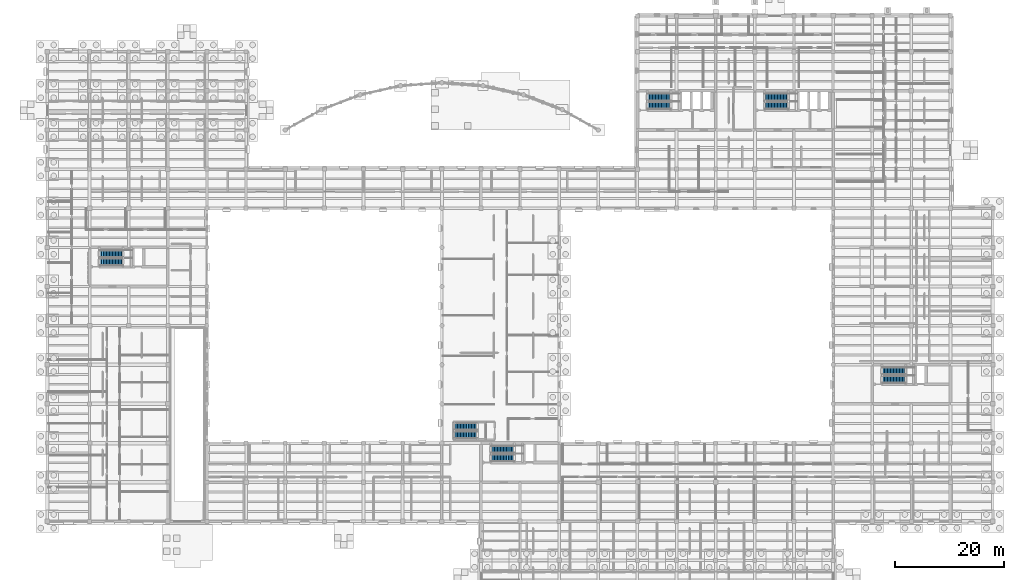
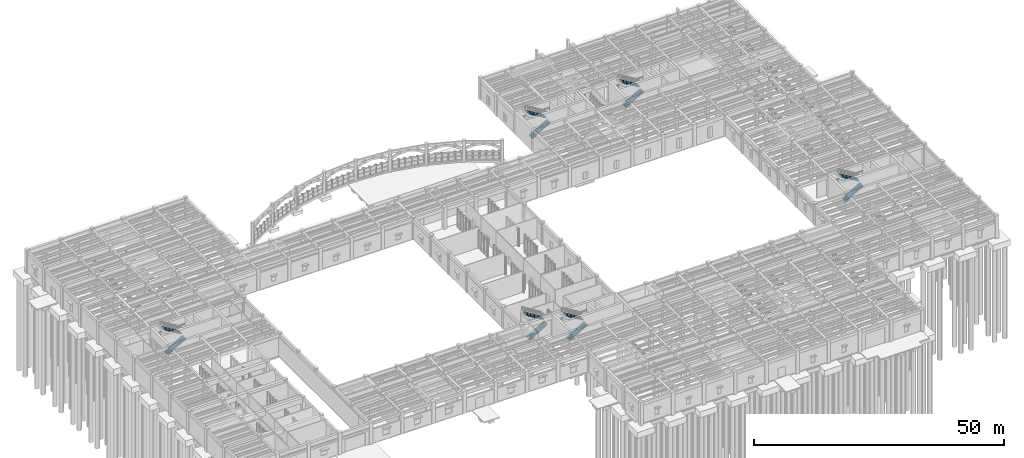
# One storey, part 87 of 100: 12 stair flights, 6 elements without a shape of their own.
"""IFC4 building model written with IfcOpenShell, lengths in metres."""

from ifc_helpers import new_model, si_unit, direction, frame, origin, place, context, subcontext, project, spatial, polyline, outline, extrude, material, type_object, element, aggregate, save


model = new_model("IFC4")

# Units and contexts
model_context = context("Model", 3, precision=1e-05, world=origin(), true_north=direction((0.0, 1.0)))
body_context = subcontext(model_context, "Body", "Model", "MODEL_VIEW")
ifc_project = project(units=[si_unit("LENGTHUNIT", "METRE"), si_unit("AREAUNIT", "SQUARE_METRE"), si_unit("VOLUMEUNIT", "CUBIC_METRE"), si_unit("PLANEANGLEUNIT", "RADIAN"), si_unit("MASSUNIT", "GRAM", prefix="KILO")], contexts=[model_context])

# Site, building, storey
site_placement = place(None, origin())
site = spatial("IfcSite", under=ifc_project, at=site_placement, CompositionType="ELEMENT")
building_placement = place(site_placement, origin())
building = spatial("IfcBuilding", under=site, at=building_placement, Name="Mithqara Police Headquarters", CompositionType="ELEMENT")
storey_placement = place(building_placement, origin())
storey = spatial("IfcBuildingStorey", under=building, at=storey_placement, Name="L00", CompositionType="ELEMENT", Elevation=0.0)

# Stair, stair flights
ifc_material = material(Name="Concrete C40/50", Category="concrete")
stair_type_1 = type_object("IfcStairType", Name="STAIR ST 01-R32", PredefinedType="HALF_TURN_STAIR", material=ifc_material)
stair_1_placement = place(storey_placement, origin())
stair_1 = element("IfcStair", 1, at=stair_1_placement, inside=storey, type_object=stair_type_1, Name="L00 Core C1 Command West Exit Stair", PredefinedType="HALF_TURN_STAIR")
stair_flight_type_1 = type_object("IfcStairFlightType", Name="STAIR FLIGHT ST 01 F R16", PredefinedType="STRAIGHT", material=ifc_material)
stair_flight_1_placement = place(storey_placement, frame((110.550048828125, 97.47509765625, 0.0), z_axis=(0.0, 0.0, 1.0), x_axis=(1.0, 0.0, 0.0)))
stair_flight_1 = element("IfcStairFlight", 2, at=stair_flight_1_placement, type_object=stair_flight_type_1, Name="ST-01 flight 1", NumberOfRisers=16, NumberOfTreads=15, PredefinedType="STRAIGHT", RiserHeight=0.16875, TreadLength=0.28, context=body_context, shape_type="SweptSolid", body=[
    extrude(outline(polyline([(0.0, 0.0), (0.0, 0.168701171875), (0.280029296875, 0.168701171875), (0.280029296875, 0.33740234375), (0.56005859375, 0.33740234375), (0.56005859375, 0.50634765625), (0.840087890625, 0.50634765625), (0.840087890625, 0.675048828125), (1.1201171875, 0.675048828125), (1.1201171875, 0.84375), (1.39990234375, 0.84375), (1.39990234375, 1.012451171875), (1.679931640625, 1.012451171875), (1.679931640625, 1.18115234375), (1.9599609375, 1.18115234375), (1.9599609375, 1.35009765625), (2.239990234375, 1.35009765625), (2.239990234375, 1.518798828125), (2.52001953125, 1.518798828125), (2.52001953125, 1.6875), (2.800048828125, 1.6875), (2.800048828125, 1.856201171875), (3.080078125, 1.856201171875), (3.080078125, 2.02490234375), (3.360107421875, 2.02490234375), (3.360107421875, 2.19384765625), (3.639892578125, 2.19384765625), (3.639892578125, 2.362548828125), (3.919921875, 2.362548828125), (3.919921875, 2.53125), (4.199951171875, 2.53125), (4.199951171875, 2.699951171875), (4.199951171875, 2.356201171875), (0.29052734375, 0.0), (0.0, 0.0)])), frame((0.0, 0.675048828125, 0.0), z_axis=(0.0, -1.0, 0.0), x_axis=(1.0, 0.0, 0.0)), (0.0, 0.0, 1.0), 1.35009765625),
])
stair_flight_2_placement = place(storey_placement, frame((114.75, 99.02490234375, 2.699951171875), z_axis=(0.0, 0.0, 1.0), x_axis=(-1.0, 0.0, 0.0)))
stair_flight_2 = element("IfcStairFlight", 3, at=stair_flight_2_placement, type_object=stair_flight_type_1, Name="ST-01 flight 2", NumberOfRisers=16, NumberOfTreads=15, PredefinedType="STRAIGHT", RiserHeight=0.16875, TreadLength=0.28, context=body_context, shape_type="SweptSolid", body=[
    extrude(outline(polyline([(0.0, 0.0), (0.0, 0.168701171875), (0.280029296875, 0.168701171875), (0.280029296875, 0.33740234375), (0.56005859375, 0.33740234375), (0.56005859375, 0.50634765625), (0.840087890625, 0.50634765625), (0.840087890625, 0.675048828125), (1.1201171875, 0.675048828125), (1.1201171875, 0.84375), (1.39990234375, 0.84375), (1.39990234375, 1.012451171875), (1.679931640625, 1.012451171875), (1.679931640625, 1.18115234375), (1.9599609375, 1.18115234375), (1.9599609375, 1.35009765625), (2.239990234375, 1.35009765625), (2.239990234375, 1.518798828125), (2.52001953125, 1.518798828125), (2.52001953125, 1.6875), (2.800048828125, 1.6875), (2.800048828125, 1.856201171875), (3.080078125, 1.856201171875), (3.080078125, 2.02490234375), (3.360107421875, 2.02490234375), (3.360107421875, 2.19384765625), (3.639892578125, 2.19384765625), (3.639892578125, 2.362548828125), (3.919921875, 2.362548828125), (3.919921875, 2.53125), (4.199951171875, 2.53125), (4.199951171875, 2.699951171875), (4.199951171875, 2.356201171875), (0.29052734375, 0.0), (0.0, 0.0)])), frame((0.0, 0.675048828125, 0.0), z_axis=(0.0, -1.0, 0.0), x_axis=(1.0, 0.0, 0.0)), (0.0, 0.0, 1.0), 1.35009765625),
])
aggregate(stair_1, [stair_flight_1, stair_flight_2])

stair_type_2 = type_object("IfcStairType", Name="STAIR ST 02-R32", PredefinedType="HALF_TURN_STAIR", material=ifc_material)
stair_2_placement = place(storey_placement, origin())
stair_2 = element("IfcStair", 4, at=stair_2_placement, inside=storey, type_object=stair_type_2, Name="L00 Core C2 Command East Exit Stair", PredefinedType="HALF_TURN_STAIR")
stair_flight_type_2 = type_object("IfcStairFlightType", Name="STAIR FLIGHT ST 02 F R16", PredefinedType="STRAIGHT", material=ifc_material)
stair_flight_3_placement = place(storey_placement, frame((132.14990234375, 97.47509765625, 0.0), z_axis=(0.0, 0.0, 1.0), x_axis=(1.0, 0.0, 0.0)))
stair_flight_3 = element("IfcStairFlight", 5, at=stair_flight_3_placement, type_object=stair_flight_type_2, Name="ST-02 flight 1", NumberOfRisers=16, NumberOfTreads=15, PredefinedType="STRAIGHT", RiserHeight=0.16875, TreadLength=0.28, context=body_context, shape_type="SweptSolid", body=[
    extrude(outline(polyline([(0.0, 0.0), (0.0, 0.168701171875), (0.280029296875, 0.168701171875), (0.280029296875, 0.33740234375), (0.56005859375, 0.33740234375), (0.56005859375, 0.50634765625), (0.840087890625, 0.50634765625), (0.840087890625, 0.675048828125), (1.1201171875, 0.675048828125), (1.1201171875, 0.84375), (1.39990234375, 0.84375), (1.39990234375, 1.012451171875), (1.679931640625, 1.012451171875), (1.679931640625, 1.18115234375), (1.9599609375, 1.18115234375), (1.9599609375, 1.35009765625), (2.239990234375, 1.35009765625), (2.239990234375, 1.518798828125), (2.52001953125, 1.518798828125), (2.52001953125, 1.6875), (2.800048828125, 1.6875), (2.800048828125, 1.856201171875), (3.080078125, 1.856201171875), (3.080078125, 2.02490234375), (3.360107421875, 2.02490234375), (3.360107421875, 2.19384765625), (3.639892578125, 2.19384765625), (3.639892578125, 2.362548828125), (3.919921875, 2.362548828125), (3.919921875, 2.53125), (4.199951171875, 2.53125), (4.199951171875, 2.699951171875), (4.199951171875, 2.356201171875), (0.29052734375, 0.0), (0.0, 0.0)])), frame((0.0, 0.675048828125, 0.0), z_axis=(0.0, -1.0, 0.0), x_axis=(1.0, 0.0, 0.0)), (0.0, 0.0, 1.0), 1.35009765625),
])
stair_flight_4_placement = place(storey_placement, frame((136.35009765625, 99.02490234375, 2.699951171875), z_axis=(0.0, 0.0, 1.0), x_axis=(-1.0, 0.0, 0.0)))
stair_flight_4 = element("IfcStairFlight", 6, at=stair_flight_4_placement, type_object=stair_flight_type_2, Name="ST-02 flight 2", NumberOfRisers=16, NumberOfTreads=15, PredefinedType="STRAIGHT", RiserHeight=0.16875, TreadLength=0.28, context=body_context, shape_type="SweptSolid", body=[
    extrude(outline(polyline([(0.0, 0.0), (0.0, 0.168701171875), (0.280029296875, 0.168701171875), (0.280029296875, 0.33740234375), (0.56005859375, 0.33740234375), (0.56005859375, 0.50634765625), (0.840087890625, 0.50634765625), (0.840087890625, 0.675048828125), (1.1201171875, 0.675048828125), (1.1201171875, 0.84375), (1.39990234375, 0.84375), (1.39990234375, 1.012451171875), (1.679931640625, 1.012451171875), (1.679931640625, 1.18115234375), (1.9599609375, 1.18115234375), (1.9599609375, 1.35009765625), (2.239990234375, 1.35009765625), (2.239990234375, 1.518798828125), (2.52001953125, 1.518798828125), (2.52001953125, 1.6875), (2.800048828125, 1.6875), (2.800048828125, 1.856201171875), (3.080078125, 1.856201171875), (3.080078125, 2.02490234375), (3.360107421875, 2.02490234375), (3.360107421875, 2.19384765625), (3.639892578125, 2.19384765625), (3.639892578125, 2.362548828125), (3.919921875, 2.362548828125), (3.919921875, 2.53125), (4.199951171875, 2.53125), (4.199951171875, 2.699951171875), (4.199951171875, 2.356201171875), (0.29052734375, 0.0), (0.0, 0.0)])), frame((0.0, 0.675048828125, 0.0), z_axis=(0.0, -1.0, 0.0), x_axis=(1.0, 0.0, 0.0)), (0.0, 0.0, 1.0), 1.35009765625),
])
aggregate(stair_2, [stair_flight_3, stair_flight_4])

stair_type_3 = type_object("IfcStairType", Name="STAIR ST 03-R32", PredefinedType="HALF_TURN_STAIR", material=ifc_material)
stair_3_placement = place(storey_placement, origin())
stair_3 = element("IfcStair", 7, at=stair_3_placement, inside=storey, type_object=stair_type_3, Name="L00 Core C3 Operations West Exit Stair", PredefinedType="HALF_TURN_STAIR")
stair_flight_type_3 = type_object("IfcStairFlightType", Name="STAIR FLIGHT ST 03 F R16", PredefinedType="STRAIGHT", material=ifc_material)
stair_flight_5_placement = place(storey_placement, frame((9.75, 68.675048828125, 0.0), z_axis=(0.0, 0.0, 1.0), x_axis=(1.0, 0.0, 0.0)))
stair_flight_5 = element("IfcStairFlight", 8, at=stair_flight_5_placement, type_object=stair_flight_type_3, Name="ST-03 flight 1", NumberOfRisers=16, NumberOfTreads=15, PredefinedType="STRAIGHT", RiserHeight=0.16875, TreadLength=0.28, context=body_context, shape_type="SweptSolid", body=[
    extrude(outline(polyline([(0.0, 0.0), (0.0, 0.168701171875), (0.280029296875, 0.168701171875), (0.280029296875, 0.33740234375), (0.56005859375, 0.33740234375), (0.56005859375, 0.50634765625), (0.840087890625, 0.50634765625), (0.840087890625, 0.675048828125), (1.1201171875, 0.675048828125), (1.1201171875, 0.84375), (1.39990234375, 0.84375), (1.39990234375, 1.012451171875), (1.679931640625, 1.012451171875), (1.679931640625, 1.18115234375), (1.9599609375, 1.18115234375), (1.9599609375, 1.35009765625), (2.239990234375, 1.35009765625), (2.239990234375, 1.518798828125), (2.52001953125, 1.518798828125), (2.52001953125, 1.6875), (2.800048828125, 1.6875), (2.800048828125, 1.856201171875), (3.080078125, 1.856201171875), (3.080078125, 2.02490234375), (3.360107421875, 2.02490234375), (3.360107421875, 2.19384765625), (3.639892578125, 2.19384765625), (3.639892578125, 2.362548828125), (3.919921875, 2.362548828125), (3.919921875, 2.53125), (4.199951171875, 2.53125), (4.199951171875, 2.699951171875), (4.199951171875, 2.356201171875), (0.29052734375, 0.0), (0.0, 0.0)])), frame((0.0, 0.675048828125, 0.0), z_axis=(0.0, -1.0, 0.0), x_axis=(1.0, 0.0, 0.0)), (0.0, 0.0, 1.0), 1.35009765625),
])
stair_flight_6_placement = place(storey_placement, frame((13.949951171875, 70.22509765625, 2.699951171875), z_axis=(0.0, 0.0, 1.0), x_axis=(-1.0, 0.0, 0.0)))
stair_flight_6 = element("IfcStairFlight", 9, at=stair_flight_6_placement, type_object=stair_flight_type_3, Name="ST-03 flight 2", NumberOfRisers=16, NumberOfTreads=15, PredefinedType="STRAIGHT", RiserHeight=0.16875, TreadLength=0.28, context=body_context, shape_type="SweptSolid", body=[
    extrude(outline(polyline([(0.0, 0.0), (0.0, 0.168701171875), (0.280029296875, 0.168701171875), (0.280029296875, 0.33740234375), (0.56005859375, 0.33740234375), (0.56005859375, 0.50634765625), (0.840087890625, 0.50634765625), (0.840087890625, 0.675048828125), (1.1201171875, 0.675048828125), (1.1201171875, 0.84375), (1.39990234375, 0.84375), (1.39990234375, 1.012451171875), (1.679931640625, 1.012451171875), (1.679931640625, 1.18115234375), (1.9599609375, 1.18115234375), (1.9599609375, 1.35009765625), (2.239990234375, 1.35009765625), (2.239990234375, 1.518798828125), (2.52001953125, 1.518798828125), (2.52001953125, 1.6875), (2.800048828125, 1.6875), (2.800048828125, 1.856201171875), (3.080078125, 1.856201171875), (3.080078125, 2.02490234375), (3.360107421875, 2.02490234375), (3.360107421875, 2.19384765625), (3.639892578125, 2.19384765625), (3.639892578125, 2.362548828125), (3.919921875, 2.362548828125), (3.919921875, 2.53125), (4.199951171875, 2.53125), (4.199951171875, 2.699951171875), (4.199951171875, 2.356201171875), (0.29052734375, 0.0), (0.0, 0.0)])), frame((0.0, 0.675048828125, 0.0), z_axis=(0.0, -1.0, 0.0), x_axis=(1.0, 0.0, 0.0)), (0.0, 0.0, 1.0), 1.35009765625),
])
aggregate(stair_3, [stair_flight_5, stair_flight_6])

stair_type_4 = type_object("IfcStairType", Name="STAIR ST 04-R32", PredefinedType="HALF_TURN_STAIR", material=ifc_material)
stair_4_placement = place(storey_placement, origin())
stair_4 = element("IfcStair", 10, at=stair_4_placement, inside=storey, type_object=stair_type_4, Name="L00 Core C4 Forensics East Exit Stair", PredefinedType="HALF_TURN_STAIR")
stair_flight_type_4 = type_object("IfcStairFlightType", Name="STAIR FLIGHT ST 04 F R16", PredefinedType="STRAIGHT", material=ifc_material)
stair_flight_7_placement = place(storey_placement, frame((153.75, 47.074951171875, 0.0), z_axis=(0.0, 0.0, 1.0), x_axis=(1.0, 0.0, 0.0)))
stair_flight_7 = element("IfcStairFlight", 11, at=stair_flight_7_placement, type_object=stair_flight_type_4, Name="ST-04 flight 1", NumberOfRisers=16, NumberOfTreads=15, PredefinedType="STRAIGHT", RiserHeight=0.16875, TreadLength=0.28, context=body_context, shape_type="SweptSolid", body=[
    extrude(outline(polyline([(0.0, 0.0), (0.0, 0.168701171875), (0.280029296875, 0.168701171875), (0.280029296875, 0.33740234375), (0.56005859375, 0.33740234375), (0.56005859375, 0.50634765625), (0.840087890625, 0.50634765625), (0.840087890625, 0.675048828125), (1.1201171875, 0.675048828125), (1.1201171875, 0.84375), (1.39990234375, 0.84375), (1.39990234375, 1.012451171875), (1.679931640625, 1.012451171875), (1.679931640625, 1.18115234375), (1.9599609375, 1.18115234375), (1.9599609375, 1.35009765625), (2.239990234375, 1.35009765625), (2.239990234375, 1.518798828125), (2.52001953125, 1.518798828125), (2.52001953125, 1.6875), (2.800048828125, 1.6875), (2.800048828125, 1.856201171875), (3.080078125, 1.856201171875), (3.080078125, 2.02490234375), (3.360107421875, 2.02490234375), (3.360107421875, 2.19384765625), (3.639892578125, 2.19384765625), (3.639892578125, 2.362548828125), (3.919921875, 2.362548828125), (3.919921875, 2.53125), (4.199951171875, 2.53125), (4.199951171875, 2.699951171875), (4.199951171875, 2.356201171875), (0.29052734375, 0.0), (0.0, 0.0)])), frame((0.0, 0.675048828125, 0.0), z_axis=(0.0, -1.0, 0.0), x_axis=(1.0, 0.0, 0.0)), (0.0, 0.0, 1.0), 1.35009765625),
])
stair_flight_8_placement = place(storey_placement, frame((157.949951171875, 48.625, 2.699951171875), z_axis=(0.0, 0.0, 1.0), x_axis=(-1.0, 0.0, 0.0)))
stair_flight_8 = element("IfcStairFlight", 12, at=stair_flight_8_placement, type_object=stair_flight_type_4, Name="ST-04 flight 2", NumberOfRisers=16, NumberOfTreads=15, PredefinedType="STRAIGHT", RiserHeight=0.16875, TreadLength=0.28, context=body_context, shape_type="SweptSolid", body=[
    extrude(outline(polyline([(0.0, 0.0), (0.0, 0.168701171875), (0.280029296875, 0.168701171875), (0.280029296875, 0.33740234375), (0.56005859375, 0.33740234375), (0.56005859375, 0.50634765625), (0.840087890625, 0.50634765625), (0.840087890625, 0.675048828125), (1.1201171875, 0.675048828125), (1.1201171875, 0.84375), (1.39990234375, 0.84375), (1.39990234375, 1.012451171875), (1.679931640625, 1.012451171875), (1.679931640625, 1.18115234375), (1.9599609375, 1.18115234375), (1.9599609375, 1.35009765625), (2.239990234375, 1.35009765625), (2.239990234375, 1.518798828125), (2.52001953125, 1.518798828125), (2.52001953125, 1.6875), (2.800048828125, 1.6875), (2.800048828125, 1.856201171875), (3.080078125, 1.856201171875), (3.080078125, 2.02490234375), (3.360107421875, 2.02490234375), (3.360107421875, 2.19384765625), (3.639892578125, 2.19384765625), (3.639892578125, 2.362548828125), (3.919921875, 2.362548828125), (3.919921875, 2.53125), (4.199951171875, 2.53125), (4.199951171875, 2.699951171875), (4.199951171875, 2.356201171875), (0.29052734375, 0.0), (0.0, 0.0)])), frame((0.0, 0.675048828125, 0.0), z_axis=(0.0, -1.0, 0.0), x_axis=(1.0, 0.0, 0.0)), (0.0, 0.0, 1.0), 1.35009765625),
])
aggregate(stair_4, [stair_flight_7, stair_flight_8])

stair_type_5 = type_object("IfcStairType", Name="STAIR ST 05-R32", PredefinedType="HALF_TURN_STAIR", material=ifc_material)
stair_5_placement = place(storey_placement, origin())
stair_5 = element("IfcStair", 13, at=stair_5_placement, inside=storey, type_object=stair_type_5, Name="L00 Public Entrance Hall Gallery Stair", PredefinedType="HALF_TURN_STAIR")
stair_flight_type_5 = type_object("IfcStairFlightType", Name="STAIR FLIGHT ST 05 F R16", PredefinedType="STRAIGHT", material=ifc_material)
stair_flight_9_placement = place(storey_placement, frame((74.949951171875, 36.875, 0.0), z_axis=(0.0, 0.0, 1.0), x_axis=(1.0, 0.0, 0.0)))
stair_flight_9 = element("IfcStairFlight", 14, at=stair_flight_9_placement, type_object=stair_flight_type_5, Name="ST-05 flight 1", NumberOfRisers=16, NumberOfTreads=15, PredefinedType="STRAIGHT", RiserHeight=0.16875, TreadLength=0.28, context=body_context, shape_type="SweptSolid", body=[
    extrude(outline(polyline([(0.0, 0.0), (0.0, 0.168701171875), (0.280029296875, 0.168701171875), (0.280029296875, 0.33740234375), (0.56005859375, 0.33740234375), (0.56005859375, 0.50634765625), (0.840087890625, 0.50634765625), (0.840087890625, 0.675048828125), (1.1201171875, 0.675048828125), (1.1201171875, 0.84375), (1.39990234375, 0.84375), (1.39990234375, 1.012451171875), (1.679931640625, 1.012451171875), (1.679931640625, 1.18115234375), (1.9599609375, 1.18115234375), (1.9599609375, 1.35009765625), (2.239990234375, 1.35009765625), (2.239990234375, 1.518798828125), (2.52001953125, 1.518798828125), (2.52001953125, 1.6875), (2.800048828125, 1.6875), (2.800048828125, 1.856201171875), (3.080078125, 1.856201171875), (3.080078125, 2.02490234375), (3.360107421875, 2.02490234375), (3.360107421875, 2.19384765625), (3.639892578125, 2.19384765625), (3.639892578125, 2.362548828125), (3.919921875, 2.362548828125), (3.919921875, 2.53125), (4.199951171875, 2.53125), (4.199951171875, 2.699951171875), (4.199951171875, 2.356201171875), (0.29052734375, 0.0), (0.0, 0.0)])), frame((0.0, 0.675048828125, 0.0), z_axis=(0.0, -1.0, 0.0), x_axis=(1.0, 0.0, 0.0)), (0.0, 0.0, 1.0), 1.35009765625),
])
stair_flight_10_placement = place(storey_placement, frame((79.14990234375, 38.425048828125, 2.699951171875), z_axis=(0.0, 0.0, 1.0), x_axis=(-1.0, 0.0, 0.0)))
stair_flight_10 = element("IfcStairFlight", 15, at=stair_flight_10_placement, type_object=stair_flight_type_5, Name="ST-05 flight 2", NumberOfRisers=16, NumberOfTreads=15, PredefinedType="STRAIGHT", RiserHeight=0.16875, TreadLength=0.28, context=body_context, shape_type="SweptSolid", body=[
    extrude(outline(polyline([(0.0, 0.0), (0.0, 0.168701171875), (0.280029296875, 0.168701171875), (0.280029296875, 0.33740234375), (0.56005859375, 0.33740234375), (0.56005859375, 0.50634765625), (0.840087890625, 0.50634765625), (0.840087890625, 0.675048828125), (1.1201171875, 0.675048828125), (1.1201171875, 0.84375), (1.39990234375, 0.84375), (1.39990234375, 1.012451171875), (1.679931640625, 1.012451171875), (1.679931640625, 1.18115234375), (1.9599609375, 1.18115234375), (1.9599609375, 1.35009765625), (2.239990234375, 1.35009765625), (2.239990234375, 1.518798828125), (2.52001953125, 1.518798828125), (2.52001953125, 1.6875), (2.800048828125, 1.6875), (2.800048828125, 1.856201171875), (3.080078125, 1.856201171875), (3.080078125, 2.02490234375), (3.360107421875, 2.02490234375), (3.360107421875, 2.19384765625), (3.639892578125, 2.19384765625), (3.639892578125, 2.362548828125), (3.919921875, 2.362548828125), (3.919921875, 2.53125), (4.199951171875, 2.53125), (4.199951171875, 2.699951171875), (4.199951171875, 2.356201171875), (0.29052734375, 0.0), (0.0, 0.0)])), frame((0.0, 0.675048828125, 0.0), z_axis=(0.0, -1.0, 0.0), x_axis=(1.0, 0.0, 0.0)), (0.0, 0.0, 1.0), 1.35009765625),
])
aggregate(stair_5, [stair_flight_9, stair_flight_10])

stair_type_6 = type_object("IfcStairType", Name="STAIR ST 07-R32", PredefinedType="HALF_TURN_STAIR", material=ifc_material)
stair_6_placement = place(storey_placement, origin())
stair_6 = element("IfcStair", 16, at=stair_6_placement, inside=storey, type_object=stair_type_6, Name="L00 Core C5 Courtyard South Exit Stair", PredefinedType="HALF_TURN_STAIR")
stair_flight_type_6 = type_object("IfcStairFlightType", Name="STAIR FLIGHT ST 07 F R16", PredefinedType="STRAIGHT", material=ifc_material)
stair_flight_11_placement = place(storey_placement, frame((81.75, 32.675048828125, 0.0), z_axis=(0.0, 0.0, 1.0), x_axis=(1.0, 0.0, 0.0)))
stair_flight_11 = element("IfcStairFlight", 17, at=stair_flight_11_placement, type_object=stair_flight_type_6, Name="ST-07 flight 1", NumberOfRisers=16, NumberOfTreads=15, PredefinedType="STRAIGHT", RiserHeight=0.16875, TreadLength=0.28, context=body_context, shape_type="SweptSolid", body=[
    extrude(outline(polyline([(0.0, 0.0), (0.0, 0.168701171875), (0.280029296875, 0.168701171875), (0.280029296875, 0.33740234375), (0.56005859375, 0.33740234375), (0.56005859375, 0.50634765625), (0.840087890625, 0.50634765625), (0.840087890625, 0.675048828125), (1.1201171875, 0.675048828125), (1.1201171875, 0.84375), (1.39990234375, 0.84375), (1.39990234375, 1.012451171875), (1.679931640625, 1.012451171875), (1.679931640625, 1.18115234375), (1.9599609375, 1.18115234375), (1.9599609375, 1.35009765625), (2.239990234375, 1.35009765625), (2.239990234375, 1.518798828125), (2.52001953125, 1.518798828125), (2.52001953125, 1.6875), (2.800048828125, 1.6875), (2.800048828125, 1.856201171875), (3.080078125, 1.856201171875), (3.080078125, 2.02490234375), (3.360107421875, 2.02490234375), (3.360107421875, 2.19384765625), (3.639892578125, 2.19384765625), (3.639892578125, 2.362548828125), (3.919921875, 2.362548828125), (3.919921875, 2.53125), (4.199951171875, 2.53125), (4.199951171875, 2.699951171875), (4.199951171875, 2.356201171875), (0.29052734375, 0.0), (0.0, 0.0)])), frame((0.0, 0.675048828125, 0.0), z_axis=(0.0, -1.0, 0.0), x_axis=(1.0, 0.0, 0.0)), (0.0, 0.0, 1.0), 1.35009765625),
])
stair_flight_12_placement = place(storey_placement, frame((85.949951171875, 34.22509765625, 2.699951171875), z_axis=(0.0, 0.0, 1.0), x_axis=(-1.0, 0.0, 0.0)))
stair_flight_12 = element("IfcStairFlight", 18, at=stair_flight_12_placement, type_object=stair_flight_type_6, Name="ST-07 flight 2", NumberOfRisers=16, NumberOfTreads=15, PredefinedType="STRAIGHT", RiserHeight=0.16875, TreadLength=0.28, context=body_context, shape_type="SweptSolid", body=[
    extrude(outline(polyline([(0.0, 0.0), (0.0, 0.168701171875), (0.280029296875, 0.168701171875), (0.280029296875, 0.33740234375), (0.56005859375, 0.33740234375), (0.56005859375, 0.50634765625), (0.840087890625, 0.50634765625), (0.840087890625, 0.675048828125), (1.1201171875, 0.675048828125), (1.1201171875, 0.84375), (1.39990234375, 0.84375), (1.39990234375, 1.012451171875), (1.679931640625, 1.012451171875), (1.679931640625, 1.18115234375), (1.9599609375, 1.18115234375), (1.9599609375, 1.35009765625), (2.239990234375, 1.35009765625), (2.239990234375, 1.518798828125), (2.52001953125, 1.518798828125), (2.52001953125, 1.6875), (2.800048828125, 1.6875), (2.800048828125, 1.856201171875), (3.080078125, 1.856201171875), (3.080078125, 2.02490234375), (3.360107421875, 2.02490234375), (3.360107421875, 2.19384765625), (3.639892578125, 2.19384765625), (3.639892578125, 2.362548828125), (3.919921875, 2.362548828125), (3.919921875, 2.53125), (4.199951171875, 2.53125), (4.199951171875, 2.699951171875), (4.199951171875, 2.356201171875), (0.29052734375, 0.0), (0.0, 0.0)])), frame((0.0, 0.675048828125, 0.0), z_axis=(0.0, -1.0, 0.0), x_axis=(1.0, 0.0, 0.0)), (0.0, 0.0, 1.0), 1.35009765625),
])
aggregate(stair_6, [stair_flight_11, stair_flight_12])

save(model, "model.ifc")
